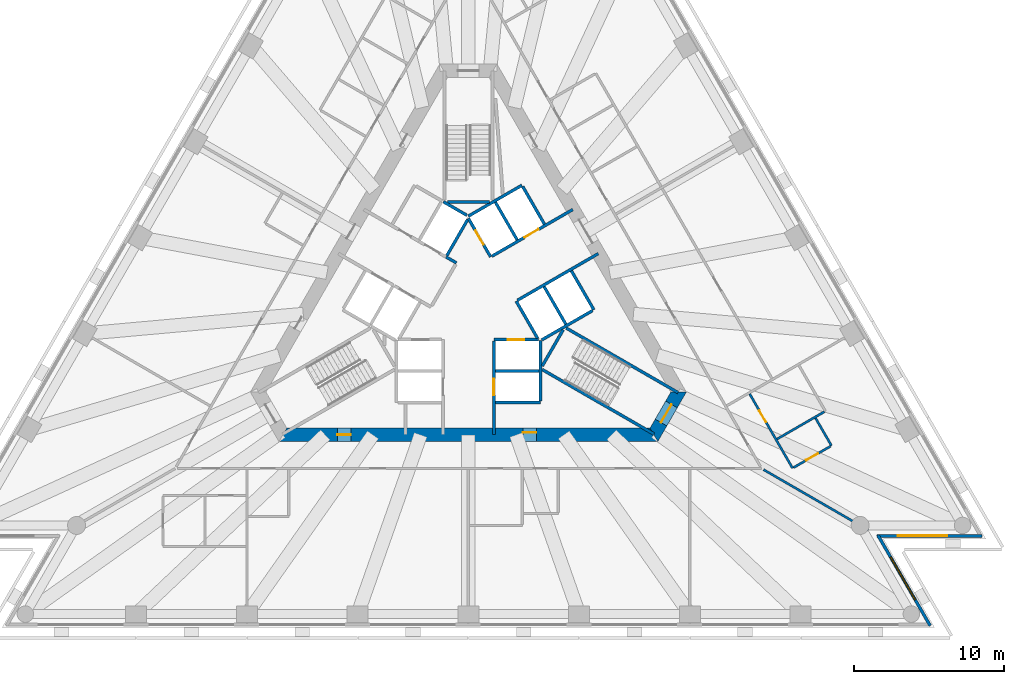
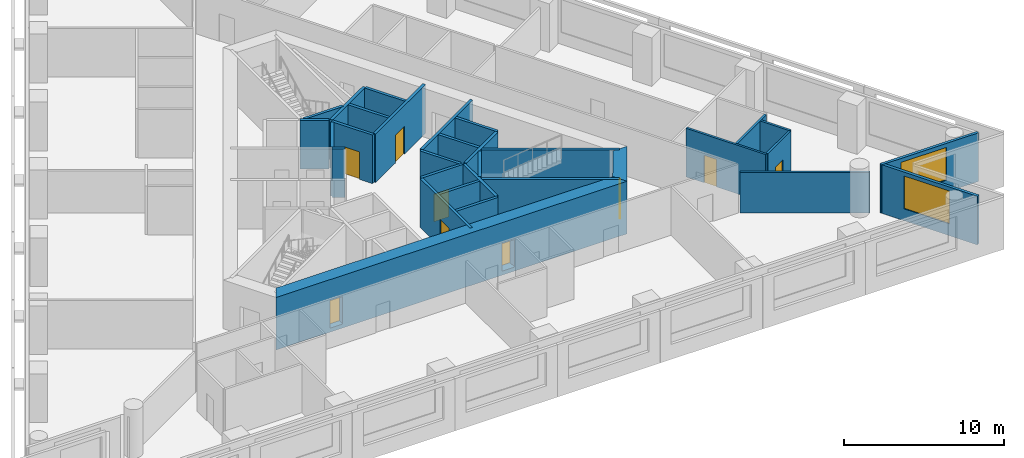
# One storey, part 5 of 11: 31 walls, 9 doors, 2 windows, 11 openings.
"""IFC4 building model written with IfcOpenShell, lengths in metres."""

from ifc_helpers import new_model, si_unit, direction, frame, frame_2d, origin, place, context, subcontext, project, spatial, polyline, rectangle, outline, extrude, material, layer, layer_set, layer_usage, type_object, element, fill, save


model = new_model("IFC4")

# Units and contexts
model_context = context("Model", 3, precision=1e-05, world=origin(), true_north=direction((0.0, 1.0)))
body_context = subcontext(model_context, "Body", "Model", "MODEL_VIEW")
ifc_project = project(units=[si_unit("LENGTHUNIT", "METRE"), si_unit("AREAUNIT", "SQUARE_METRE"), si_unit("VOLUMEUNIT", "CUBIC_METRE"), si_unit("PLANEANGLEUNIT", "RADIAN"), si_unit("MASSUNIT", "GRAM", prefix="KILO")], contexts=[model_context])

# Site, building, storey
site_placement = place(None, origin())
site = spatial("IfcSite", under=ifc_project, at=site_placement, CompositionType="ELEMENT")
building_placement = place(site_placement, origin())
building = spatial("IfcBuilding", under=site, at=building_placement, Name="Triada Interchange Tower", CompositionType="ELEMENT")
storey_placement = place(building_placement, frame((0.0, 0.0, 63.300048828125)))
storey = spatial("IfcBuildingStorey", under=building, at=storey_placement, Name="L13", CompositionType="ELEMENT", Elevation=63.300048828125)

# Walls
ifc_material_1 = material(Name="Concrete C30/37", Category="concrete")
ifc_layer_1 = layer(ifc_material_1, 0.199951171875)
ifc_layer_set_1 = layer_set([ifc_layer_1], Name="CORE WALL 200 EI 120")
wall_type_1 = type_object("IfcWallType", Name="CORE WALL 200 EI 120", PredefinedType="SOLIDWALL", material=ifc_layer_set_1)
wall_1_placement = place(storey_placement, frame((1.800048828125, -4.800048828125, 0.0), z_axis=(0.0, 0.0, 1.0), x_axis=(1.0, 0.0, 0.0)))
element("IfcWall", 1, at=wall_1_placement, inside=storey, type_object=wall_type_1, Name="Wall L12 50", PredefinedType="SOLIDWALL", context=body_context, shape_type="SweptSolid", body=[
    extrude(rectangle(XDim=2.89990234375, YDim=0.199951171875, at=frame_2d((1.449951171875, 0.0))), origin(), (0.0, 0.0, 1.0), 3.699951171875),
])
wall_2_placement = place(storey_placement, frame((1.800048828125, -6.89990234375, 0.0), z_axis=(0.0, 0.0, 1.0), x_axis=(1.0, 0.0, 0.0)))
element("IfcWall", 2, at=wall_2_placement, inside=storey, type_object=wall_type_1, Name="Wall L12 53", PredefinedType="SOLIDWALL", context=body_context, shape_type="SweptSolid", body=[
    extrude(rectangle(XDim=3.0, YDim=0.199951171875, at=frame_2d((1.5, 0.0))), origin(), (0.0, 0.0, 1.0), 3.699951171875),
])

# Wall, opening, door
wall_3_placement = place(storey_placement, frame((1.702880859375, -2.699951171875, 0.0), z_axis=(0.0, 0.0, 1.0), x_axis=(1.0, 0.0, 0.0)))
wall_3 = element("IfcWall", 3, at=wall_3_placement, inside=storey, type_object=wall_type_1, Name="Wall L12 56", PredefinedType="SOLIDWALL", context=body_context, shape_type="SweptSolid", body=[
    extrude(rectangle(XDim=2.97314453125, YDim=0.199951171875, at=frame_2d((1.486572265625, 0.0))), origin(), (0.0, 0.0, 1.0), 3.699951171875),
])
opening_1_placement = place(wall_3_placement, frame((0.93603515625, 0.0, 0.0)))
opening_1 = element("IfcOpeningElement", 4, at=opening_1_placement, cuts=wall_3, Name="Opening LD-LR1", PredefinedType="OPENING", context=body_context, shape_type="SweptSolid", body=[
    extrude(rectangle(XDim=1.10009765625, YDim=2.10009765625, at=frame_2d((0.550048828125, 1.050048828125))), frame((0.0, 0.10986328125, 0.0), z_axis=(0.0, -1.0, 0.0), x_axis=(1.0, 0.0, 0.0)), (0.0, 0.0, 1.0), 0.219970703125),
])
ifc_material_2 = material(Name="Steel S235 door leaf", Category="steel")
door_type_1 = type_object("IfcDoorType", Name="LIFT LANDING DOOR 1100 EI 120", OperationType="SLIDING_TO_LEFT", PredefinedType="DOOR", material=ifc_material_2)
door_1_placement = place(opening_1_placement, origin())
door_1 = element("IfcDoor", 5, at=door_1_placement, inside=storey, type_object=door_type_1, Name="LR1 landing door L13", OperationType="SLIDING_TO_LEFT", OverallHeight=2.10009765625, OverallWidth=1.10009765625, PredefinedType="DOOR", context=body_context, shape_type="SweptSolid", body=[
    extrude(rectangle(XDim=1.10009765625, YDim=2.10009765625, at=frame_2d((0.550048828125, 1.050048828125))), frame((0.0, 0.02490234375, 0.0), z_axis=(0.0, -1.0, 0.0), x_axis=(1.0, 0.0, 0.0)), (0.0, 0.0, 1.0), 0.050048828125),
])
fill(opening_1, door_1)

# Wall
wall_4_placement = place(storey_placement, frame((-0.001953125, 5.541015625, 0.0), z_axis=(0.0, 0.0, 1.0), x_axis=(0.86600155993, 0.500041296494, 0.0)))
element("IfcWall", 6, at=wall_4_placement, inside=storey, type_object=wall_type_1, Name="Wall L12 57", PredefinedType="SOLIDWALL", context=body_context, shape_type="SweptSolid", body=[
    extrude(rectangle(XDim=4.131591796875, YDim=0.199951171875, at=frame_2d((2.06591796875, 0.0))), origin(), (0.0, 0.0, 1.0), 3.699951171875),
])

# Wall, opening, door
wall_5_placement = place(storey_placement, frame((0.0, 5.39990234375, 0.0), z_axis=(0.0, 0.0, 1.0), x_axis=(0.500103862429, -0.865965430478, 0.0)))
wall_5 = element("IfcWall", 7, at=wall_5_placement, inside=storey, type_object=wall_type_1, Name="Wall L12 58", PredefinedType="SOLIDWALL", context=body_context, shape_type="SweptSolid", body=[
    extrude(rectangle(XDim=2.973388671875, YDim=0.199951171875, at=frame_2d((1.48681640625, 0.0))), origin(), (0.0, 0.0, 1.0), 3.699951171875),
])
opening_2_placement = place(wall_5_placement, frame((0.93701171875, 0.0, 0.0)))
opening_2 = element("IfcOpeningElement", 8, at=opening_2_placement, cuts=wall_5, Name="Opening LD-LR5", PredefinedType="OPENING", context=body_context, shape_type="SweptSolid", body=[
    extrude(rectangle(XDim=1.10009765625, YDim=2.10009765625, at=frame_2d((0.550048828125, 1.050048828125))), frame((0.0, 0.10986328125, 0.0), z_axis=(0.0, -1.0, 0.0), x_axis=(1.0, 0.0, 0.0)), (0.0, 0.0, 1.0), 0.219970703125),
])
door_2_placement = place(opening_2_placement, origin())
door_2 = element("IfcDoor", 9, at=door_2_placement, inside=storey, type_object=door_type_1, Name="LR5 landing door L13", OperationType="SLIDING_TO_LEFT", OverallHeight=2.10009765625, OverallWidth=1.10009765625, PredefinedType="DOOR", context=body_context, shape_type="SweptSolid", body=[
    extrude(rectangle(XDim=1.10009765625, YDim=2.10009765625, at=frame_2d((0.550048828125, 1.050048828125))), frame((0.0, 0.02490234375, 0.0), z_axis=(0.0, -1.0, 0.0), x_axis=(1.0, 0.0, 0.0)), (0.0, 0.0, 1.0), 0.050048828125),
])
fill(opening_2, door_2)

# Wall
wall_6_placement = place(storey_placement, frame((3.18994140625, -0.125, 0.0), z_axis=(0.0, 0.0, 1.0), x_axis=(0.499988658015, -0.866031951983, 0.0)))
element("IfcWall", 10, at=wall_6_placement, inside=storey, type_object=wall_type_1, Name="Wall L12 59", PredefinedType="SOLIDWALL", context=body_context, shape_type="SweptSolid", body=[
    extrude(rectangle(XDim=2.85791015625, YDim=0.199951171875, at=frame_2d((1.428955078125, 0.0))), origin(), (0.0, 0.0, 1.0), 3.699951171875),
])

# Wall, opening, door
wall_7_placement = place(storey_placement, frame((1.577880859375, 2.8740234375, 0.0), z_axis=(0.0, 0.0, 1.0), x_axis=(0.866031483044, 0.499989470266, 0.0)))
wall_7 = element("IfcWall", 11, at=wall_7_placement, inside=storey, type_object=wall_type_1, Name="Wall L12 60", PredefinedType="SOLIDWALL", context=body_context, shape_type="SweptSolid", body=[
    extrude(rectangle(XDim=6.226318359375, YDim=0.199951171875, at=frame_2d((3.11328125, 0.0))), origin(), (0.0, 0.0, 1.0), 3.699951171875),
])
opening_3_placement = place(wall_7_placement, frame((2.49609375, 0.0, 0.0)))
opening_3 = element("IfcOpeningElement", 12, at=opening_3_placement, cuts=wall_7, Name="Opening LD-LR6", PredefinedType="OPENING", context=body_context, shape_type="SweptSolid", body=[
    extrude(rectangle(XDim=1.10009765625, YDim=2.10009765625, at=frame_2d((0.550048828125, 1.050048828125))), frame((0.0, 0.10986328125, 0.0), z_axis=(0.0, -1.0, 0.0), x_axis=(1.0, 0.0, 0.0)), (0.0, 0.0, 1.0), 0.219970703125),
])
door_3_placement = place(opening_3_placement, origin())
door_3 = element("IfcDoor", 13, at=door_3_placement, inside=storey, type_object=door_type_1, Name="LR6 landing door L13", OperationType="SLIDING_TO_LEFT", OverallHeight=2.10009765625, OverallWidth=1.10009765625, PredefinedType="DOOR", context=body_context, shape_type="SweptSolid", body=[
    extrude(rectangle(XDim=1.10009765625, YDim=2.10009765625, at=frame_2d((0.550048828125, 1.050048828125))), frame((0.0, 0.02490234375, 0.0), z_axis=(0.0, -1.0, 0.0), x_axis=(1.0, 0.0, 0.0)), (0.0, 0.0, 1.0), 0.050048828125),
])
fill(opening_3, door_3)

wall_8_placement = place(storey_placement, frame((1.699951171875, -9.030029296875, 0.0), z_axis=(0.0, 0.0, 1.0), x_axis=(0.0, 1.0, 0.0)))
wall_8 = element("IfcWall", 14, at=wall_8_placement, inside=storey, type_object=wall_type_1, Name="Wall L12 61", PredefinedType="SOLIDWALL", context=body_context, shape_type="SweptSolid", body=[
    extrude(rectangle(XDim=6.22705078125, YDim=0.199951171875, at=frame_2d((3.113525390625, 0.0))), origin(), (0.0, 0.0, 1.0), 3.699951171875),
])
opening_4_placement = place(wall_8_placement, frame((2.6298828125, 0.0, 0.0)))
opening_4 = element("IfcOpeningElement", 15, at=opening_4_placement, cuts=wall_8, Name="Opening LD-LR2", PredefinedType="OPENING", context=body_context, shape_type="SweptSolid", body=[
    extrude(rectangle(XDim=1.10009765625, YDim=2.10009765625, at=frame_2d((0.550048828125, 1.050048828125))), frame((0.0, 0.10986328125, 0.0), z_axis=(0.0, -1.0, 0.0), x_axis=(1.0, 0.0, 0.0)), (0.0, 0.0, 1.0), 0.219970703125),
])
door_4_placement = place(opening_4_placement, origin())
door_4 = element("IfcDoor", 16, at=door_4_placement, inside=storey, type_object=door_type_1, Name="LR2 landing door L13", OperationType="SLIDING_TO_LEFT", OverallHeight=2.10009765625, OverallWidth=1.10009765625, PredefinedType="DOOR", context=body_context, shape_type="SweptSolid", body=[
    extrude(rectangle(XDim=1.10009765625, YDim=2.10009765625, at=frame_2d((0.550048828125, 1.050048828125))), frame((0.0, 0.02490234375, 0.0), z_axis=(0.0, -1.0, 0.0), x_axis=(1.0, 0.0, 0.0)), (0.0, 0.0, 1.0), 0.050048828125),
])
fill(opening_4, door_4)

# Walls
wall_9_placement = place(storey_placement, frame((4.800048828125, -6.800048828125, 0.0), z_axis=(0.0, 0.0, 1.0), x_axis=(0.0, 1.0, 0.0)))
element("IfcWall", 17, at=wall_9_placement, inside=storey, type_object=wall_type_1, Name="Wall L12 62", PredefinedType="SOLIDWALL", context=body_context, shape_type="SweptSolid", body=[
    extrude(rectangle(XDim=4.029052734375, YDim=0.199951171875, at=frame_2d((2.0146484375, 0.0))), origin(), (0.0, 0.0, 1.0), 3.699951171875),
])
wall_10_placement = place(storey_placement, frame((3.278076171875, -0.071044921875, 0.0), z_axis=(0.0, 0.0, 1.0), x_axis=(0.865953757655, 0.500124074208, 0.0)))
element("IfcWall", 18, at=wall_10_placement, inside=storey, type_object=wall_type_1, Name="Wall L12 63", PredefinedType="SOLIDWALL", context=body_context, shape_type="SweptSolid", body=[
    extrude(rectangle(XDim=6.2265625, YDim=0.199951171875, at=frame_2d((3.11328125, 0.0))), origin(), (0.0, 0.0, 1.0), 3.699951171875),
])
wall_11_placement = place(storey_placement, frame((3.6259765625, 7.52001953125, 0.0), z_axis=(0.0, 0.0, 1.0), x_axis=(0.500060147554, -0.865990674793, 0.0)))
element("IfcWall", 19, at=wall_11_placement, inside=storey, type_object=wall_type_1, Name="Wall L12 64", PredefinedType="SOLIDWALL", context=body_context, shape_type="SweptSolid", body=[
    extrude(rectangle(XDim=2.899658203125, YDim=0.199951171875, at=frame_2d((1.44970703125, 0.0))), origin(), (0.0, 0.0, 1.0), 3.699951171875),
])
wall_12_placement = place(storey_placement, frame((6.8759765625, 1.89111328125, 0.0), z_axis=(0.0, 0.0, 1.0), x_axis=(0.499990139034, -0.866031096941, 0.0)))
element("IfcWall", 20, at=wall_12_placement, inside=storey, type_object=wall_type_1, Name="Wall L12 65", PredefinedType="SOLIDWALL", context=body_context, shape_type="SweptSolid", body=[
    extrude(rectangle(XDim=3.0, YDim=0.199951171875, at=frame_2d((1.5, 0.0))), origin(), (0.0, 0.0, 1.0), 3.699951171875),
])
for number, where, z_axis, x_axis, name in (
    (21, (1.806884765625, 6.469970703125, 0.0), (0.0, 0.0, 1.0), (0.50012328804, -0.865954211699, 0.0), "Wall L12 66"),
    (22, (5.056884765625, 0.841064453125, 0.0), (0.0, 0.0, 1.0), (0.50012328804, -0.865954211699, 0.0), "Wall L12 67"),
):
    element("IfcWall", number, at=place(storey_placement, frame(where, z_axis=z_axis, x_axis=x_axis)), inside=storey, type_object=wall_type_1, Name=name, PredefinedType="SOLIDWALL", context=body_context, shape_type="SweptSolid", body=[
        extrude(rectangle(XDim=2.899658203125, YDim=0.199951171875, at=frame_2d((1.44970703125, 0.0))), origin(), (0.0, 0.0, 1.0), 3.699951171875),
    ])
wall_13_placement = place(storey_placement, frame((4.89990234375, -2.714111328125, 0.0), z_axis=(0.0, 0.0, 1.0), x_axis=(0.865992350556, 0.500057245502, 0.0)))
element("IfcWall", 23, at=wall_13_placement, inside=storey, type_object=wall_type_1, Name="Wall L12 68", PredefinedType="SOLIDWALL", context=body_context, shape_type="SweptSolid", body=[
    extrude(rectangle(XDim=3.91357421875, YDim=0.199951171875, at=frame_2d((1.956787109375, 0.0))), origin(), (0.0, 0.0, 1.0), 3.699951171875),
])
ifc_layer_2 = layer(ifc_material_1, 0.199951171875)
ifc_layer_set_2 = layer_set([ifc_layer_2], Name="CORE WALL 200 EI 180")
wall_type_2 = type_object("IfcWallType", Name="CORE WALL 200 EI 180", PredefinedType="SOLIDWALL", material=ifc_layer_set_2)
wall_14_placement = place(storey_placement, frame((-1.488037109375, 2.822021484375, 0.0), z_axis=(0.0, 0.0, 1.0), x_axis=(0.866236612152, -0.499633997809, 0.0)))
element("IfcWall", 24, at=wall_14_placement, inside=storey, type_object=wall_type_2, Name="Wall L12 72", PredefinedType="SOLIDWALL", context=body_context, shape_type="SweptSolid", body=[
    extrude(rectangle(XDim=0.79638671875, YDim=0.199951171875, at=frame_2d((0.398193359375, 0.0))), origin(), (0.0, 0.0, 1.0), 3.699951171875),
])
wall_15_placement = place(storey_placement, frame((-1.669921875, 6.507080078125, 0.0), z_axis=(0.0, 0.0, 1.0), x_axis=(0.865941441609, -0.500145398563, 0.0)))
element("IfcWall", 25, at=wall_15_placement, inside=storey, type_object=wall_type_2, Name="Shaft wall FF2 L12 82", PredefinedType="SOLIDWALL", context=body_context, shape_type="SweptSolid", body=[
    extrude(rectangle(XDim=1.8154296875, YDim=0.199951171875, at=frame_2d((0.90771484375, 0.0))), origin(), (0.0, 0.0, 1.0), 3.699951171875),
])
wall_16_placement = place(storey_placement, frame((-1.43798828125, 2.908935546875, 0.0), z_axis=(0.0, 0.0, 1.0), x_axis=(0.499829630636, 0.866123744241, 0.0)))
element("IfcWall", 26, at=wall_16_placement, inside=storey, type_object=wall_type_2, Name="Shaft wall FF2 L12 83", PredefinedType="SOLIDWALL", context=body_context, shape_type="SweptSolid", body=[
    extrude(rectangle(XDim=2.7607421875, YDim=0.199951171875, at=frame_2d((1.38037109375, 0.0))), origin(), (0.0, 0.0, 1.0), 3.699951171875),
])
ifc_layer_3 = layer(ifc_material_1, 0.199951171875)
ifc_layer_set_3 = layer_set([ifc_layer_3], Name="CORE WALL 200 REI 240")
wall_type_3 = type_object("IfcWallType", Name="CORE WALL 200 REI 240", PredefinedType="SOLIDWALL", material=ifc_layer_set_3)
wall_17_placement = place(storey_placement, frame((-1.39990234375, 6.5, 0.0), z_axis=(0.0, 0.0, 1.0), x_axis=(1.0, 0.0, 0.0)))
element("IfcWall", 27, at=wall_17_placement, inside=storey, type_object=wall_type_3, Name="Wall L12 91", PredefinedType="SOLIDWALL", context=body_context, shape_type="SweptSolid", body=[
    extrude(rectangle(XDim=2.7998046875, YDim=0.199951171875, at=frame_2d((1.39990234375, 0.0))), origin(), (0.0, 0.0, 1.0), 3.699951171875),
])
wall_18_placement = place(storey_placement, frame((4.928955078125, -4.693115234375, 0.0), z_axis=(0.0, 0.0, 1.0), x_axis=(0.866010975815, -0.500024989144, 0.0)))
element("IfcWall", 28, at=wall_18_placement, inside=storey, type_object=wall_type_3, Name="Wall L12 93", PredefinedType="SOLIDWALL", context=body_context, shape_type="SweptSolid", body=[
    extrude(rectangle(XDim=8.615234375, YDim=0.199951171875, at=frame_2d((4.3076171875, 0.0))), origin(), (0.0, 0.0, 1.0), 3.699951171875),
])
wall_19_placement = place(storey_placement, frame((4.928955078125, -4.4619140625, 0.0), z_axis=(0.0, 0.0, 1.0), x_axis=(0.500200581029, 0.865909567298, 0.0)))
element("IfcWall", 29, at=wall_19_placement, inside=storey, type_object=wall_type_3, Name="Wall L12 94", PredefinedType="SOLIDWALL", context=body_context, shape_type="SweptSolid", body=[
    extrude(rectangle(XDim=2.799072265625, YDim=0.199951171875, at=frame_2d((1.3994140625, 0.0))), origin(), (0.0, 0.0, 1.0), 3.699951171875),
])
wall_20_placement = place(storey_placement, frame((6.529052734375, -1.922119140625, 0.0), z_axis=(0.0, 0.0, 1.0), x_axis=(0.866060059011, -0.499939970583, 0.0)))
element("IfcWall", 30, at=wall_20_placement, inside=storey, type_object=wall_type_3, Name="Wall L12 95", PredefinedType="SOLIDWALL", context=body_context, shape_type="SweptSolid", body=[
    extrude(rectangle(XDim=8.61474609375, YDim=0.199951171875, at=frame_2d((4.307373046875, 0.0))), origin(), (0.0, 0.0, 1.0), 3.699951171875),
])

# Wall, openings, doors
ifc_material_3 = material(Name="Concrete C70/85", Category="concrete")
ifc_layer_4 = layer(ifc_material_3, 0.89990234375)
ifc_layer_set_4 = layer_set([ifc_layer_4], Name="Core wall A 900")
wall_type_4 = type_object("IfcWallType", Name="Core wall A 900", PredefinedType="SHEAR", material=ifc_layer_set_4)
wall_21_placement = place(storey_placement, frame((-12.384033203125, -9.050048828125, -0.300048828125), z_axis=(0.0, 0.0, 1.0), x_axis=(1.0, 0.0, 0.0)))
wall_21 = element("IfcWall", 31, at=wall_21_placement, inside=storey, type_object=wall_type_4, Name="Core wall WA04 L13", PredefinedType="SHEAR", context=body_context, shape_type="SweptSolid", body=[
    extrude(outline(polyline([(-0.260009765625, -0.449951171875), (1.685302734375, -0.449951171875), (3.63037109375, -0.449951171875), (5.57568359375, -0.449951171875), (7.52099609375, -0.449951171875), (9.466064453125, -0.449951171875), (11.411376953125, -0.449951171875), (13.356689453125, -0.449951171875), (15.302001953125, -0.449951171875), (17.2470703125, -0.449951171875), (19.1923828125, -0.449951171875), (21.1376953125, -0.449951171875), (23.082763671875, -0.449951171875), (25.028076171875, -0.449951171875), (24.508056640625, 0.449951171875), (22.642822265625, 0.449951171875), (20.777587890625, 0.449951171875), (18.912353515625, 0.449951171875), (17.047119140625, 0.449951171875), (15.181884765625, 0.449951171875), (13.316650390625, 0.449951171875), (11.451416015625, 0.449951171875), (9.586181640625, 0.449951171875), (7.720947265625, 0.449951171875), (5.855712890625, 0.449951171875), (3.990478515625, 0.449951171875), (2.125244140625, 0.449951171875), (0.260009765625, 0.449951171875), (-0.260009765625, -0.449951171875)])), origin(), (0.0, 0.0, 1.0), 4.0),
])
opening_5_placement = place(wall_21_placement, frame((3.636962890625, 0.0, 0.300048828125)))
opening_5 = element("IfcOpeningElement", 32, at=opening_5_placement, cuts=wall_21, Name="Opening D12-46", PredefinedType="OPENING", context=body_context, shape_type="SweptSolid", body=[
    extrude(rectangle(XDim=0.89990234375, YDim=2.10009765625, at=frame_2d((0.449951171875, 1.050048828125))), frame((0.0, 0.4599609375, 0.0), z_axis=(0.0, -1.0, 0.0), x_axis=(1.0, 0.0, 0.0)), (0.0, 0.0, 1.0), 0.919921875),
])
opening_6_placement = place(wall_21_placement, frame((16.02197265625, 0.0, 0.300048828125)))
opening_6 = element("IfcOpeningElement", 33, at=opening_6_placement, cuts=wall_21, Name="Opening D12-47", PredefinedType="OPENING", context=body_context, shape_type="SweptSolid", body=[
    extrude(rectangle(XDim=0.89990234375, YDim=2.10009765625, at=frame_2d((0.449951171875, 1.050048828125))), frame((0.0, 0.4599609375, 0.0), z_axis=(0.0, -1.0, 0.0), x_axis=(1.0, 0.0, 0.0)), (0.0, 0.0, 1.0), 0.919921875),
])
door_type_2 = type_object("IfcDoorType", Name="RISER ACCESS DOOR 900 EI2 45-C5S200", OperationType="NOTDEFINED", PredefinedType="DOOR", material=ifc_material_2)
door_5_placement = place(opening_5_placement, origin())
door_5 = element("IfcDoor", 34, at=door_5_placement, inside=storey, type_object=door_type_2, Name="Door D12-46 L13", OperationType="SINGLE_SWING_LEFT", OverallHeight=2.10009765625, OverallWidth=0.89990234375, PredefinedType="DOOR", context=body_context, shape_type="SweptSolid", body=[
    extrude(rectangle(XDim=0.89990234375, YDim=2.10009765625, at=frame_2d((0.449951171875, 1.050048828125))), frame((0.0, 0.02490234375, 0.0), z_axis=(0.0, -1.0, 0.0), x_axis=(1.0, 0.0, 0.0)), (0.0, 0.0, 1.0), 0.050048828125),
])
fill(opening_5, door_5)
door_type_3 = type_object("IfcDoorType", Name="SERVICE DOOR 900 EI2 45-C5S200", OperationType="NOTDEFINED", PredefinedType="DOOR", material=ifc_material_2)
door_6_placement = place(opening_6_placement, origin())
door_6 = element("IfcDoor", 35, at=door_6_placement, inside=storey, type_object=door_type_3, Name="Door D12-47 L13", OperationType="SINGLE_SWING_LEFT", OverallHeight=2.10009765625, OverallWidth=0.89990234375, PredefinedType="DOOR", context=body_context, shape_type="SweptSolid", body=[
    extrude(rectangle(XDim=0.89990234375, YDim=2.10009765625, at=frame_2d((0.449951171875, 1.050048828125))), frame((0.0, 0.1748046875, 0.0), z_axis=(0.0, -1.0, 0.0), x_axis=(1.0, 0.0, 0.0)), (0.0, 0.0, 1.0), 0.050048828125),
])
fill(opening_6, door_6)

# Wall, opening, door
wall_22_placement = place(storey_placement, frame((12.384033203125, -9.050048828125, -0.300048828125), z_axis=(0.0, 0.0, 1.0), x_axis=(0.500111984565, 0.865960739811, 0.0)))
wall_22 = element("IfcWall", 36, at=wall_22_placement, inside=storey, type_object=wall_type_4, Name="Core wall WA05 L13", PredefinedType="SHEAR", context=body_context, shape_type="SweptSolid", body=[
    extrude(outline(polyline([(-0.260009765625, -0.449951171875), (1.6455078125, -0.449462890625), (3.551025390625, -0.448974609375), (3.031005859375, 0.449951171875), (1.6455078125, 0.449951171875), (0.260009765625, 0.449951171875), (-0.260009765625, -0.449951171875)])), origin(), (0.0, 0.0, 1.0), 4.0),
])
opening_7_placement = place(wall_22_placement, frame((0.946044921875, 0.0, 0.300048828125)))
opening_7 = element("IfcOpeningElement", 37, at=opening_7_placement, cuts=wall_22, Name="Opening D12-43", PredefinedType="OPENING", context=body_context, shape_type="SweptSolid", body=[
    extrude(rectangle(XDim=1.39990234375, YDim=2.10009765625, at=frame_2d((0.699951171875, 1.050048828125))), frame((0.0, 0.4599609375, 0.0), z_axis=(0.0, -1.0, 0.0), x_axis=(1.0, 0.0, 0.0)), (0.0, 0.0, 1.0), 0.919921875),
])
door_type_4 = type_object("IfcDoorType", Name="STAIR DOOR 1400 EI2 90-C5S200", OperationType="DOUBLE_DOOR_SINGLE_SWING", PredefinedType="DOOR", material=ifc_material_2)
door_7_placement = place(opening_7_placement, origin())
door_7 = element("IfcDoor", 38, at=door_7_placement, inside=storey, type_object=door_type_4, Name="Door D12-43 L13", OperationType="DOUBLE_DOOR_SINGLE_SWING", OverallHeight=2.10009765625, OverallWidth=1.39990234375, PredefinedType="DOOR", context=body_context, shape_type="SweptSolid", body=[
    extrude(rectangle(XDim=1.39990234375, YDim=2.10009765625, at=frame_2d((0.699951171875, 1.050048828125))), frame((0.0, 0.02490234375, 0.0), z_axis=(0.0, -1.0, 0.0), x_axis=(1.0, 0.0, 0.0)), (0.0, 0.0, 1.0), 0.050048828125),
])
fill(opening_7, door_7)

# Wall, opening, window
ifc_material_4 = material(Name="Cement board")
ifc_layer_5 = layer(ifc_material_4, 0.02001953125, Name="Cement board cladding")
ifc_material_5 = material(Name="Sheathing board")
ifc_layer_6 = layer(ifc_material_5, 0.014892578125, Name="Sheathing board")
ifc_material_6 = material(Name="Mineral wool")
ifc_layer_7 = layer(ifc_material_6, 0.14990234375, Name="Mineral wool between steel studs")
ifc_material_7 = material(Name="Gypsum board")
ifc_layer_8 = layer(ifc_material_7, 0.014892578125, Name="Plasterboard lining")
ifc_layer_set_5 = layer_set([ifc_layer_5, ifc_layer_6, ifc_layer_7, ifc_layer_8], Name="External wall 200")
ifc_layer_usage = layer_usage(ifc_layer_set_5, "AXIS2", "POSITIVE", -0.10009765625)
wall_type_5 = type_object("IfcWallType", Name="External wall 200", PredefinedType="ELEMENTEDWALL", material=ifc_layer_set_5)
wall_23_placement = place(storey_placement, frame((30.823974609375, -21.79296875, 0.0), z_axis=(0.0, 0.0, 1.0), x_axis=(-0.499969272857, 0.866043143382, 0.0)))
wall_23 = element("IfcWall", 39, at=wall_23_placement, inside=storey, type_object=wall_type_5, material=ifc_layer_usage, Name="External wall L13 SE-1", PredefinedType="ELEMENTEDWALL", context=body_context, shape_type="SweptSolid", body=[
    extrude(rectangle(XDim=6.99267578125, YDim=0.199951171875, at=frame_2d((3.496337890625, 0.0))), origin(), (0.0, 0.0, 1.0), 3.699951171875),
])
opening_8_placement = place(wall_23_placement, frame((1.989990234375, 0.0, 0.89990234375)))
opening_8 = element("IfcOpeningElement", 40, at=opening_8_placement, cuts=wall_23, Name="Opening WA19", PredefinedType="OPENING", context=body_context, shape_type="SweptSolid", body=[
    extrude(rectangle(XDim=3.300048828125, YDim=2.5, at=frame_2d((1.64990234375, 1.25))), frame((0.0, 0.10986328125, 0.0), z_axis=(0.0, -1.0, 0.0), x_axis=(1.0, 0.0, 0.0)), (0.0, 0.0, 1.0), 0.219970703125),
])
ifc_material_8 = material(Name="Double glazed aluminium window", Category="aluminium")
window_type = type_object("IfcWindowType", Name="Ribbon window A pocket", PartitioningType="SINGLE_PANEL", PredefinedType="WINDOW", material=ifc_material_8)
window_1_placement = place(opening_8_placement, origin())
window_1 = element("IfcWindow", 41, at=window_1_placement, inside=storey, type_object=window_type, Name="Window L13 SE-1 1", OverallHeight=2.5, OverallWidth=3.300048828125, PartitioningType="SINGLE_PANEL", PredefinedType="WINDOW", context=body_context, shape_type="SweptSolid", body=[
    extrude(rectangle(XDim=3.300048828125, YDim=2.5, at=frame_2d((1.64990234375, 1.25))), frame((0.0, 0.030029296875, 0.0), z_axis=(0.0, -1.0, 0.0), x_axis=(1.0, 0.0, 0.0)), (0.0, 0.0, 1.0), 0.06005859375),
])
fill(opening_8, window_1)

wall_24_placement = place(storey_placement, frame((27.27294921875, -15.798095703125, 0.0), z_axis=(0.0, 0.0, 1.0), x_axis=(1.0, 0.0, 0.0)))
wall_24 = element("IfcWall", 42, at=wall_24_placement, inside=storey, type_object=wall_type_5, material=ifc_layer_usage, Name="External wall L13 SE-2", PredefinedType="ELEMENTEDWALL", context=body_context, shape_type="SweptSolid", body=[
    extrude(rectangle(XDim=6.9931640625, YDim=0.199951171875, at=frame_2d((3.49658203125, 0.0))), origin(), (0.0, 0.0, 1.0), 3.699951171875),
])
opening_9_placement = place(wall_24_placement, frame((1.389892578125, 0.0, 0.89990234375)))
opening_9 = element("IfcOpeningElement", 43, at=opening_9_placement, cuts=wall_24, Name="Opening WA20", PredefinedType="OPENING", context=body_context, shape_type="SweptSolid", body=[
    extrude(rectangle(XDim=3.300048828125, YDim=2.5, at=frame_2d((1.64990234375, 1.25))), frame((0.0, 0.10986328125, 0.0), z_axis=(0.0, -1.0, 0.0), x_axis=(1.0, 0.0, 0.0)), (0.0, 0.0, 1.0), 0.219970703125),
])
window_2_placement = place(opening_9_placement, origin())
window_2 = element("IfcWindow", 44, at=window_2_placement, inside=storey, type_object=window_type, Name="Window L13 SE-2 1", OverallHeight=2.5, OverallWidth=3.300048828125, PartitioningType="SINGLE_PANEL", PredefinedType="WINDOW", context=body_context, shape_type="SweptSolid", body=[
    extrude(rectangle(XDim=3.300048828125, YDim=2.5, at=frame_2d((1.64990234375, 1.25))), frame((0.0, 0.030029296875, 0.0), z_axis=(0.0, -1.0, 0.0), x_axis=(1.0, 0.0, 0.0)), (0.0, 0.0, 1.0), 0.06005859375),
])
fill(opening_9, window_2)

# Walls
ifc_material_9 = material(Name="Gypsum board partition")
ifc_layer_9 = layer(ifc_material_9, 0.14990234375)
ifc_layer_set_6 = layer_set([ifc_layer_9], Name="PARTITION 150 EI 180")
wall_type_6 = type_object("IfcWallType", Name="PARTITION 150 EI 180", PredefinedType="PARTITIONING", material=ifc_layer_set_6)
wall_25_placement = place(storey_placement, frame((19.701904296875, -11.3740234375, 0.0), z_axis=(0.0, 0.0, 1.0), x_axis=(0.866050014035, -0.499957371373, 0.0)))
element("IfcWall", 45, at=wall_25_placement, inside=storey, type_object=wall_type_6, Name="Wall L12 7", PredefinedType="PARTITIONING", context=body_context, shape_type="SweptSolid", body=[
    extrude(rectangle(XDim=8.066650390625, YDim=0.14990234375, at=frame_2d((4.033203125, 0.0))), origin(), (0.0, 0.0, 1.0), 3.099853515625),
])
ifc_layer_10 = layer(ifc_material_9, 0.14990234375)
ifc_layer_set_7 = layer_set([ifc_layer_10], Name="PARTITION 150 EI 90")
wall_type_7 = type_object("IfcWallType", Name="PARTITION 150 EI 90", PredefinedType="PARTITIONING", material=ifc_layer_set_7)
wall_26_placement = place(storey_placement, frame((23.172119140625, -7.93505859375, 0.0), z_axis=(0.0, 0.0, 1.0), x_axis=(0.500266112279, -0.865871709265, 0.0)))
element("IfcWall", 46, at=wall_26_placement, inside=storey, type_object=wall_type_7, Name="Wall L12 38", PredefinedType="PARTITIONING", context=body_context, shape_type="SweptSolid", body=[
    extrude(rectangle(XDim=2.124755859375, YDim=0.14990234375, at=frame_2d((1.0625, 0.0))), origin(), (0.0, 0.0, 1.0), 3.699951171875),
])

# Wall, opening, door
wall_27_placement = place(storey_placement, frame((18.77392578125, -6.31689453125, 0.0), z_axis=(0.0, 0.0, 1.0), x_axis=(0.499941490393, -0.866059181686, 0.0)))
wall_27 = element("IfcWall", 47, at=wall_27_placement, inside=storey, type_object=wall_type_7, Name="Wall L12 41", PredefinedType="PARTITIONING", context=body_context, shape_type="SweptSolid", body=[
    extrude(rectangle(XDim=5.724853515625, YDim=0.14990234375, at=frame_2d((2.8623046875, 0.0))), origin(), (0.0, 0.0, 1.0), 3.699951171875),
])
opening_10_placement = place(wall_27_placement, frame((1.27490234375, 0.0, 0.0)))
opening_10 = element("IfcOpeningElement", 48, at=opening_10_placement, cuts=wall_27, Name="Opening D12-21", PredefinedType="OPENING", context=body_context, shape_type="SweptSolid", body=[
    extrude(rectangle(XDim=0.89990234375, YDim=2.10009765625, at=frame_2d((0.449951171875, 1.050048828125))), frame((0.0, 0.0849609375, 0.0), z_axis=(0.0, -1.0, 0.0), x_axis=(1.0, 0.0, 0.0)), (0.0, 0.0, 1.0), 0.169921875),
])
door_type_5 = type_object("IfcDoorType", Name="ROOM DOOR 900 EI2 45-C5S200", OperationType="NOTDEFINED", PredefinedType="DOOR", material=ifc_material_2)
door_8_placement = place(opening_10_placement, origin())
door_8 = element("IfcDoor", 49, at=door_8_placement, inside=storey, type_object=door_type_5, Name="Door D12-21 L13", OperationType="SINGLE_SWING_LEFT", OverallHeight=2.10009765625, OverallWidth=0.89990234375, PredefinedType="DOOR", context=body_context, shape_type="SweptSolid", body=[
    extrude(rectangle(XDim=0.89990234375, YDim=2.10009765625, at=frame_2d((0.449951171875, 1.050048828125))), frame((0.0, 0.02490234375, 0.0), z_axis=(0.0, -1.0, 0.0), x_axis=(1.0, 0.0, 0.0)), (0.0, 0.0, 1.0), 0.050048828125),
])
fill(opening_10, door_8)

# Wall
wall_28_placement = place(storey_placement, frame((20.60107421875, -9.3330078125, 0.0), z_axis=(0.0, 0.0, 1.0), x_axis=(0.866024069551, 0.500002310952, 0.0)))
element("IfcWall", 50, at=wall_28_placement, inside=storey, type_object=wall_type_7, Name="Wall L12 45", PredefinedType="PARTITIONING", context=body_context, shape_type="SweptSolid", body=[
    extrude(rectangle(XDim=3.64990234375, YDim=0.14990234375, at=frame_2d((1.824951171875, 0.0))), origin(), (0.0, 0.0, 1.0), 3.699951171875),
])

# Wall, opening, door
wall_29_placement = place(storey_placement, frame((21.700927734375, -11.238037109375, 0.0), z_axis=(0.0, 0.0, 1.0), x_axis=(0.866090043625, 0.499888023795, 0.0)))
wall_29 = element("IfcWall", 51, at=wall_29_placement, inside=storey, type_object=wall_type_7, Name="Wall L12 46", PredefinedType="PARTITIONING", context=body_context, shape_type="SweptSolid", body=[
    extrude(rectangle(XDim=2.850830078125, YDim=0.14990234375, at=frame_2d((1.42529296875, 0.0))), origin(), (0.0, 0.0, 1.0), 3.699951171875),
])
opening_11_placement = place(wall_29_placement, frame((0.97509765625, 0.0, 0.0)))
opening_11 = element("IfcOpeningElement", 52, at=opening_11_placement, cuts=wall_29, Name="Opening D12-22", PredefinedType="OPENING", context=body_context, shape_type="SweptSolid", body=[
    extrude(rectangle(XDim=0.89990234375, YDim=2.10009765625, at=frame_2d((0.449951171875, 1.050048828125))), frame((0.0, 0.0849609375, 0.0), z_axis=(0.0, -1.0, 0.0), x_axis=(1.0, 0.0, 0.0)), (0.0, 0.0, 1.0), 0.169921875),
])
door_9_placement = place(opening_11_placement, origin())
door_9 = element("IfcDoor", 53, at=door_9_placement, inside=storey, type_object=door_type_3, Name="Door D12-22 L13", OperationType="SINGLE_SWING_LEFT", OverallHeight=2.10009765625, OverallWidth=0.89990234375, PredefinedType="DOOR", context=body_context, shape_type="SweptSolid", body=[
    extrude(rectangle(XDim=0.89990234375, YDim=2.10009765625, at=frame_2d((0.449951171875, 1.050048828125))), frame((0.0, 0.02490234375, 0.0), z_axis=(0.0, -1.0, 0.0), x_axis=(1.0, 0.0, 0.0)), (0.0, 0.0, 1.0), 0.050048828125),
])
fill(opening_11, door_9)

save(model, "model.ifc")
